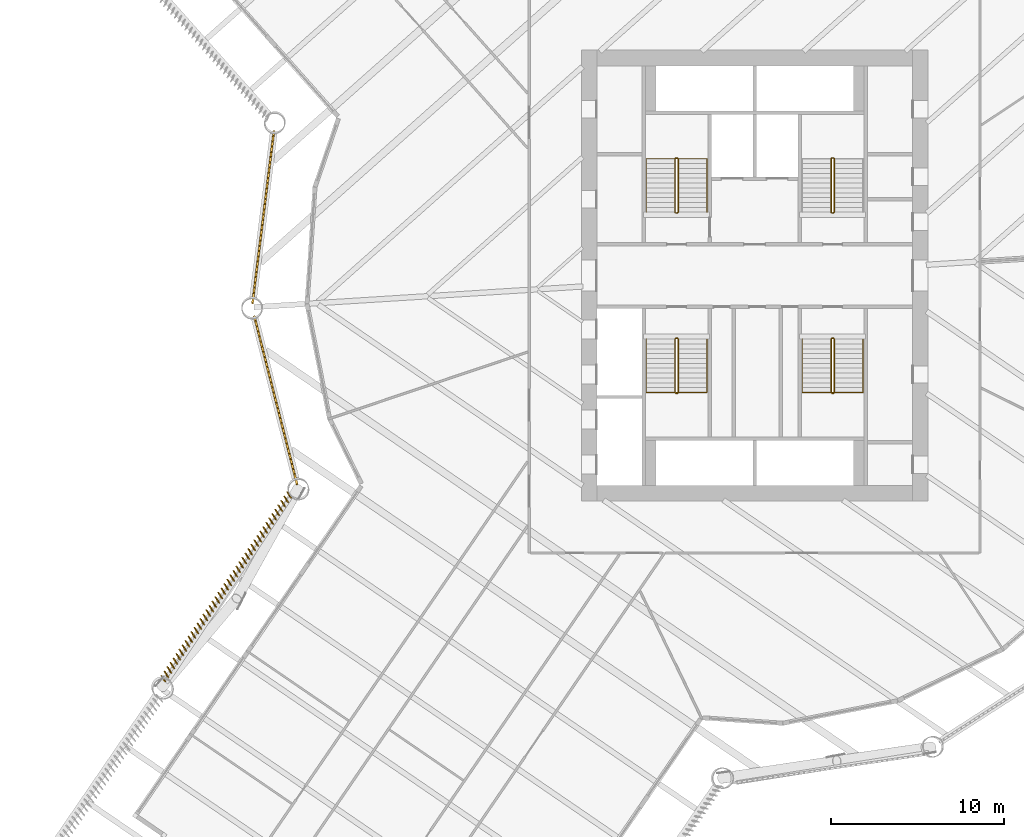
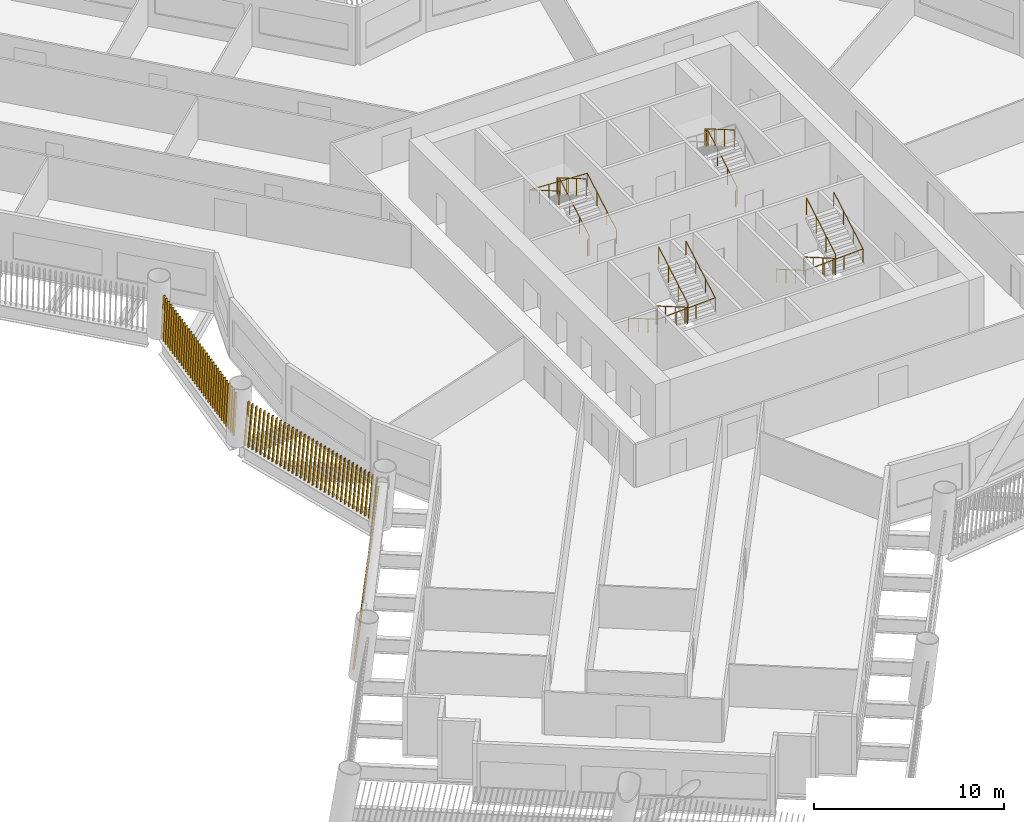
# One storey, part 19 of 22: 7 railings, 3 shading devices.
"""IFC4 building model written with IfcOpenShell, lengths in metres."""

from ifc_helpers import new_model, si_unit, direction, frame, frame_2d, origin, origin_2d, place, context, subcontext, project, spatial, rectangle, circle, composite_profile, extrude, material, type_object, element, save


model = new_model("IFC4")

# Units and contexts
model_context = context("Model", 3, precision=1e-05, world=origin(), true_north=direction((0.0, 1.0)))
body_context = subcontext(model_context, "Body", "Model", "MODEL_VIEW")
ifc_project = project(units=[si_unit("LENGTHUNIT", "METRE"), si_unit("AREAUNIT", "SQUARE_METRE"), si_unit("VOLUMEUNIT", "CUBIC_METRE"), si_unit("PLANEANGLEUNIT", "RADIAN"), si_unit("MASSUNIT", "GRAM", prefix="KILO")], contexts=[model_context])

# Site, building, storey
site_placement = place(None, origin())
site = spatial("IfcSite", under=ifc_project, at=site_placement, CompositionType="ELEMENT")
building_placement = place(site_placement, origin())
building = spatial("IfcBuilding", under=site, at=building_placement, Name="Tarsis Ring Headquarters", CompositionType="ELEMENT")
storey_placement = place(building_placement, frame((0.0, 0.0, 55.60009765625)))
storey = spatial("IfcBuildingStorey", under=building, at=storey_placement, Name="L11", CompositionType="ELEMENT", Elevation=55.60009765625)

# Railings
ifc_material_1 = material(Name="Steel S355", Category="steel")
railing_type_1 = type_object("IfcRailingType", Name="Core stair guard 1100", PredefinedType="GUARDRAIL", material=ifc_material_1)
railing_1_placement = place(storey_placement, frame((-4.5400390625, 3.610107421875, 0.0)))
element("IfcRailing", 1, at=railing_1_placement, inside=storey, type_object=railing_type_1, Name="L11 ST1 stair guard 1", PredefinedType="GUARDRAIL", context=body_context, shape_type="SweptSolid", body=[
    extrude(circle(Radius=0.02392578125, at=origin_2d()), frame((0.0, 0.0, 1.076171875), z_axis=(1.0, 0.0, 0.0), x_axis=(0.0, 1.0, 0.0)), (0.0, 0.0, 1.0), 0.080078125),
    extrude(circle(Radius=0.02392578125, at=origin_2d()), frame((0.080078125, 0.0, 1.076171875), z_axis=(0.282693820306, 0.281314826061, 0.917031173188), x_axis=(-0.705375805398, 0.708833529934, 0.0)), (0.0, 0.0, 1.0), 0.177001953125),
    extrude(circle(Radius=0.02392578125, at=origin_2d()), frame((0.130126953125, 0.0498046875, 1.23828125), z_axis=(0.0, 0.864890721111, 0.501960198159), x_axis=(-1.0, 0.0, 0.0)), (0.0, 0.0, 1.0), 3.561279296875),
    extrude(circle(Radius=0.02392578125, at=origin_2d()), frame((0.130126953125, 3.1298828125, 3.02587890625), z_axis=(-0.707106781187, 0.707106781187, 0.0), x_axis=(-0.707106781187, -0.707106781187, 0.0)), (0.0, 0.0, 1.0), 0.07080078125),
    extrude(circle(Radius=0.02392578125, at=origin_2d()), frame((0.080078125, 3.179931640625, 3.02587890625), z_axis=(-1.0, 0.0, 0.0), x_axis=(0.0, -1.0, 0.0)), (0.0, 0.0, 1.0), 0.080078125),
    extrude(circle(Radius=0.02392578125, at=origin_2d()), frame((0.0, 3.179931640625, 3.02587890625), z_axis=(-0.282583949758, -0.282583949758, 0.916674763849), x_axis=(0.707106781187, -0.707106781187, 0.0)), (0.0, 0.0, 1.0), 0.177001953125),
    extrude(circle(Radius=0.02392578125, at=origin_2d()), frame((-0.050048828125, 3.1298828125, 3.1884765625), z_axis=(0.0, -0.864890721111, 0.501960198159), x_axis=(1.0, 0.0, 0.0)), (0.0, 0.0, 1.0), 3.561279296875),
    extrude(circle(Radius=0.02099609375, at=origin_2d()), origin(), (0.0, 0.0, 1.0), 1.052001953125),
    extrude(circle(Radius=0.02099609375, at=origin_2d()), frame((0.080078125, 0.0, 0.0)), (0.0, 0.0, 1.0), 1.052001953125),
    extrude(circle(Radius=0.02099609375, at=origin_2d()), frame((0.130126953125, 0.0498046875, 0.162353515625)), (0.0, 0.0, 1.0), 1.052001953125),
    extrude(circle(Radius=0.02099609375, at=origin_2d()), frame((0.130126953125, 1.076416015625, 0.75830078125)), (0.0, 0.0, 1.0), 1.052001953125),
    extrude(circle(Radius=0.02099609375, at=origin_2d()), frame((0.130126953125, 2.103271484375, 1.35400390625)), (0.0, 0.0, 1.0), 1.052001953125),
    extrude(circle(Radius=0.02099609375, at=origin_2d()), frame((0.130126953125, 3.1298828125, 1.949951171875)), (0.0, 0.0, 1.0), 1.052001953125),
    extrude(circle(Radius=0.02099609375, at=origin_2d()), frame((0.080078125, 3.179931640625, 1.949951171875)), (0.0, 0.0, 1.0), 1.052001953125),
    extrude(circle(Radius=0.02099609375, at=origin_2d()), frame((0.0, 3.179931640625, 1.949951171875)), (0.0, 0.0, 1.0), 1.052001953125),
    extrude(circle(Radius=0.02099609375, at=origin_2d()), frame((-0.050048828125, 3.1298828125, 2.1123046875)), (0.0, 0.0, 1.0), 1.052001953125),
    extrude(circle(Radius=0.02099609375, at=origin_2d()), frame((-0.050048828125, 2.103271484375, 2.708251953125)), (0.0, 0.0, 1.0), 1.052001953125),
    extrude(circle(Radius=0.02099609375, at=origin_2d()), frame((-0.050048828125, 1.076416015625, 3.303955078125)), (0.0, 0.0, 1.0), 1.052001953125),
    extrude(circle(Radius=0.02099609375, at=origin_2d()), frame((-0.050048828125, 0.0498046875, 3.89990234375)), (0.0, 0.0, 1.0), 1.052001953125),
])
railing_2_placement = place(storey_placement, frame((4.4599609375, 3.610107421875, 0.0)))
element("IfcRailing", 2, at=railing_2_placement, inside=storey, type_object=railing_type_1, Name="L11 ST2 stair guard 1", PredefinedType="GUARDRAIL", context=body_context, shape_type="SweptSolid", body=[
    extrude(circle(Radius=0.02392578125, at=origin_2d()), frame((0.0, 0.0, 1.076171875), z_axis=(1.0, 0.0, 0.0), x_axis=(0.0, 1.0, 0.0)), (0.0, 0.0, 1.0), 0.080078125),
    extrude(circle(Radius=0.02392578125, at=origin_2d()), frame((0.080078125, 0.0, 1.076171875), z_axis=(0.282693820306, 0.281314826061, 0.917031173188), x_axis=(-0.705375805398, 0.708833529934, 0.0)), (0.0, 0.0, 1.0), 0.177001953125),
    extrude(circle(Radius=0.02392578125, at=origin_2d()), frame((0.130126953125, 0.0498046875, 1.23828125), z_axis=(0.0, 0.864890721111, 0.501960198159), x_axis=(-1.0, 0.0, 0.0)), (0.0, 0.0, 1.0), 3.561279296875),
    extrude(circle(Radius=0.02392578125, at=origin_2d()), frame((0.130126953125, 3.1298828125, 3.02587890625), z_axis=(-0.707106781187, 0.707106781187, 0.0), x_axis=(-0.707106781187, -0.707106781187, 0.0)), (0.0, 0.0, 1.0), 0.07080078125),
    extrude(circle(Radius=0.02392578125, at=origin_2d()), frame((0.080078125, 3.179931640625, 3.02587890625), z_axis=(-1.0, 0.0, 0.0), x_axis=(0.0, -1.0, 0.0)), (0.0, 0.0, 1.0), 0.080078125),
    extrude(circle(Radius=0.02392578125, at=origin_2d()), frame((0.0, 3.179931640625, 3.02587890625), z_axis=(-0.282583949758, -0.282583949758, 0.916674763849), x_axis=(0.707106781187, -0.707106781187, 0.0)), (0.0, 0.0, 1.0), 0.177001953125),
    extrude(circle(Radius=0.02392578125, at=origin_2d()), frame((-0.050048828125, 3.1298828125, 3.1884765625), z_axis=(0.0, -0.864890721111, 0.501960198159), x_axis=(1.0, 0.0, 0.0)), (0.0, 0.0, 1.0), 3.561279296875),
    extrude(circle(Radius=0.02099609375, at=origin_2d()), origin(), (0.0, 0.0, 1.0), 1.052001953125),
    extrude(circle(Radius=0.02099609375, at=origin_2d()), frame((0.080078125, 0.0, 0.0)), (0.0, 0.0, 1.0), 1.052001953125),
    extrude(circle(Radius=0.02099609375, at=origin_2d()), frame((0.130126953125, 0.0498046875, 0.162353515625)), (0.0, 0.0, 1.0), 1.052001953125),
    extrude(circle(Radius=0.02099609375, at=origin_2d()), frame((0.130126953125, 1.076416015625, 0.75830078125)), (0.0, 0.0, 1.0), 1.052001953125),
    extrude(circle(Radius=0.02099609375, at=origin_2d()), frame((0.130126953125, 2.103271484375, 1.35400390625)), (0.0, 0.0, 1.0), 1.052001953125),
    extrude(circle(Radius=0.02099609375, at=origin_2d()), frame((0.130126953125, 3.1298828125, 1.949951171875)), (0.0, 0.0, 1.0), 1.052001953125),
    extrude(circle(Radius=0.02099609375, at=origin_2d()), frame((0.080078125, 3.179931640625, 1.949951171875)), (0.0, 0.0, 1.0), 1.052001953125),
    extrude(circle(Radius=0.02099609375, at=origin_2d()), frame((0.0, 3.179931640625, 1.949951171875)), (0.0, 0.0, 1.0), 1.052001953125),
    extrude(circle(Radius=0.02099609375, at=origin_2d()), frame((-0.050048828125, 3.1298828125, 2.1123046875)), (0.0, 0.0, 1.0), 1.052001953125),
    extrude(circle(Radius=0.02099609375, at=origin_2d()), frame((-0.050048828125, 2.103271484375, 2.708251953125)), (0.0, 0.0, 1.0), 1.052001953125),
    extrude(circle(Radius=0.02099609375, at=origin_2d()), frame((-0.050048828125, 1.076416015625, 3.303955078125)), (0.0, 0.0, 1.0), 1.052001953125),
    extrude(circle(Radius=0.02099609375, at=origin_2d()), frame((-0.050048828125, 0.0498046875, 3.89990234375)), (0.0, 0.0, 1.0), 1.052001953125),
])
railing_3_placement = place(storey_placement, frame((-4.4599609375, -3.610107421875, 0.0)))
element("IfcRailing", 3, at=railing_3_placement, inside=storey, type_object=railing_type_1, Name="L11 ST3 stair guard 1", PredefinedType="GUARDRAIL", context=body_context, shape_type="SweptSolid", body=[
    extrude(circle(Radius=0.02392578125, at=origin_2d()), frame((0.0, 0.0, 1.076171875), z_axis=(-1.0, 0.0, 0.0), x_axis=(0.0, -1.0, 0.0)), (0.0, 0.0, 1.0), 0.080078125),
    extrude(circle(Radius=0.02392578125, at=origin_2d()), frame((-0.080078125, 0.0, 1.076171875), z_axis=(-0.282693820306, -0.281314826061, 0.917031173188), x_axis=(0.705375805398, -0.708833529934, 0.0)), (0.0, 0.0, 1.0), 0.177001953125),
    extrude(circle(Radius=0.02392578125, at=origin_2d()), frame((-0.130126953125, -0.0498046875, 1.23828125), z_axis=(0.0, -0.864890721111, 0.501960198159), x_axis=(1.0, 0.0, 0.0)), (0.0, 0.0, 1.0), 3.561279296875),
    extrude(circle(Radius=0.02392578125, at=origin_2d()), frame((-0.130126953125, -3.1298828125, 3.02587890625), z_axis=(0.707106781187, -0.707106781187, 0.0), x_axis=(0.707106781187, 0.707106781187, 0.0)), (0.0, 0.0, 1.0), 0.07080078125),
    extrude(circle(Radius=0.02392578125, at=origin_2d()), frame((-0.080078125, -3.179931640625, 3.02587890625), z_axis=(1.0, 0.0, 0.0), x_axis=(0.0, 1.0, 0.0)), (0.0, 0.0, 1.0), 0.080078125),
    extrude(circle(Radius=0.02392578125, at=origin_2d()), frame((0.0, -3.179931640625, 3.02587890625), z_axis=(0.282583949758, 0.282583949758, 0.916674763849), x_axis=(-0.707106781187, 0.707106781187, 0.0)), (0.0, 0.0, 1.0), 0.177001953125),
    extrude(circle(Radius=0.02392578125, at=origin_2d()), frame((0.050048828125, -3.1298828125, 3.1884765625), z_axis=(0.0, 0.864890721111, 0.501960198159), x_axis=(-1.0, 0.0, 0.0)), (0.0, 0.0, 1.0), 3.561279296875),
    extrude(circle(Radius=0.02099609375, at=origin_2d()), origin(), (0.0, 0.0, 1.0), 1.052001953125),
    extrude(circle(Radius=0.02099609375, at=origin_2d()), frame((-0.080078125, 0.0, 0.0)), (0.0, 0.0, 1.0), 1.052001953125),
    extrude(circle(Radius=0.02099609375, at=origin_2d()), frame((-0.130126953125, -0.0498046875, 0.162353515625)), (0.0, 0.0, 1.0), 1.052001953125),
    extrude(circle(Radius=0.02099609375, at=origin_2d()), frame((-0.130126953125, -1.076416015625, 0.75830078125)), (0.0, 0.0, 1.0), 1.052001953125),
    extrude(circle(Radius=0.02099609375, at=origin_2d()), frame((-0.130126953125, -2.103271484375, 1.35400390625)), (0.0, 0.0, 1.0), 1.052001953125),
    extrude(circle(Radius=0.02099609375, at=origin_2d()), frame((-0.130126953125, -3.1298828125, 1.949951171875)), (0.0, 0.0, 1.0), 1.052001953125),
    extrude(circle(Radius=0.02099609375, at=origin_2d()), frame((-0.080078125, -3.179931640625, 1.949951171875)), (0.0, 0.0, 1.0), 1.052001953125),
    extrude(circle(Radius=0.02099609375, at=origin_2d()), frame((0.0, -3.179931640625, 1.949951171875)), (0.0, 0.0, 1.0), 1.052001953125),
    extrude(circle(Radius=0.02099609375, at=origin_2d()), frame((0.050048828125, -3.1298828125, 2.1123046875)), (0.0, 0.0, 1.0), 1.052001953125),
    extrude(circle(Radius=0.02099609375, at=origin_2d()), frame((0.050048828125, -2.103271484375, 2.708251953125)), (0.0, 0.0, 1.0), 1.052001953125),
    extrude(circle(Radius=0.02099609375, at=origin_2d()), frame((0.050048828125, -1.076416015625, 3.303955078125)), (0.0, 0.0, 1.0), 1.052001953125),
    extrude(circle(Radius=0.02099609375, at=origin_2d()), frame((0.050048828125, -0.0498046875, 3.89990234375)), (0.0, 0.0, 1.0), 1.052001953125),
])
railing_4_placement = place(storey_placement, frame((4.5400390625, -3.610107421875, 0.0)))
element("IfcRailing", 4, at=railing_4_placement, inside=storey, type_object=railing_type_1, Name="L11 ST4 stair guard 1", PredefinedType="GUARDRAIL", context=body_context, shape_type="SweptSolid", body=[
    extrude(circle(Radius=0.02392578125, at=origin_2d()), frame((0.0, 0.0, 1.076171875), z_axis=(-1.0, 0.0, 0.0), x_axis=(0.0, -1.0, 0.0)), (0.0, 0.0, 1.0), 0.080078125),
    extrude(circle(Radius=0.02392578125, at=origin_2d()), frame((-0.080078125, 0.0, 1.076171875), z_axis=(-0.282693820306, -0.281314826061, 0.917031173188), x_axis=(0.705375805398, -0.708833529934, 0.0)), (0.0, 0.0, 1.0), 0.177001953125),
    extrude(circle(Radius=0.02392578125, at=origin_2d()), frame((-0.130126953125, -0.0498046875, 1.23828125), z_axis=(0.0, -0.864890721111, 0.501960198159), x_axis=(1.0, 0.0, 0.0)), (0.0, 0.0, 1.0), 3.561279296875),
    extrude(circle(Radius=0.02392578125, at=origin_2d()), frame((-0.130126953125, -3.1298828125, 3.02587890625), z_axis=(0.707106781187, -0.707106781187, 0.0), x_axis=(0.707106781187, 0.707106781187, 0.0)), (0.0, 0.0, 1.0), 0.07080078125),
    extrude(circle(Radius=0.02392578125, at=origin_2d()), frame((-0.080078125, -3.179931640625, 3.02587890625), z_axis=(1.0, 0.0, 0.0), x_axis=(0.0, 1.0, 0.0)), (0.0, 0.0, 1.0), 0.080078125),
    extrude(circle(Radius=0.02392578125, at=origin_2d()), frame((0.0, -3.179931640625, 3.02587890625), z_axis=(0.282583949758, 0.282583949758, 0.916674763849), x_axis=(-0.707106781187, 0.707106781187, 0.0)), (0.0, 0.0, 1.0), 0.177001953125),
    extrude(circle(Radius=0.02392578125, at=origin_2d()), frame((0.050048828125, -3.1298828125, 3.1884765625), z_axis=(0.0, 0.864890721111, 0.501960198159), x_axis=(-1.0, 0.0, 0.0)), (0.0, 0.0, 1.0), 3.561279296875),
    extrude(circle(Radius=0.02099609375, at=origin_2d()), origin(), (0.0, 0.0, 1.0), 1.052001953125),
    extrude(circle(Radius=0.02099609375, at=origin_2d()), frame((-0.080078125, 0.0, 0.0)), (0.0, 0.0, 1.0), 1.052001953125),
    extrude(circle(Radius=0.02099609375, at=origin_2d()), frame((-0.130126953125, -0.0498046875, 0.162353515625)), (0.0, 0.0, 1.0), 1.052001953125),
    extrude(circle(Radius=0.02099609375, at=origin_2d()), frame((-0.130126953125, -1.076416015625, 0.75830078125)), (0.0, 0.0, 1.0), 1.052001953125),
    extrude(circle(Radius=0.02099609375, at=origin_2d()), frame((-0.130126953125, -2.103271484375, 1.35400390625)), (0.0, 0.0, 1.0), 1.052001953125),
    extrude(circle(Radius=0.02099609375, at=origin_2d()), frame((-0.130126953125, -3.1298828125, 1.949951171875)), (0.0, 0.0, 1.0), 1.052001953125),
    extrude(circle(Radius=0.02099609375, at=origin_2d()), frame((-0.080078125, -3.179931640625, 1.949951171875)), (0.0, 0.0, 1.0), 1.052001953125),
    extrude(circle(Radius=0.02099609375, at=origin_2d()), frame((0.0, -3.179931640625, 1.949951171875)), (0.0, 0.0, 1.0), 1.052001953125),
    extrude(circle(Radius=0.02099609375, at=origin_2d()), frame((0.050048828125, -3.1298828125, 2.1123046875)), (0.0, 0.0, 1.0), 1.052001953125),
    extrude(circle(Radius=0.02099609375, at=origin_2d()), frame((0.050048828125, -2.103271484375, 2.708251953125)), (0.0, 0.0, 1.0), 1.052001953125),
    extrude(circle(Radius=0.02099609375, at=origin_2d()), frame((0.050048828125, -1.076416015625, 3.303955078125)), (0.0, 0.0, 1.0), 1.052001953125),
    extrude(circle(Radius=0.02099609375, at=origin_2d()), frame((0.050048828125, -0.0498046875, 3.89990234375)), (0.0, 0.0, 1.0), 1.052001953125),
])
railing_type_2 = type_object("IfcRailingType", Name="Core stair handrail 900", PredefinedType="HANDRAIL", material=ifc_material_1)
railing_5_placement = place(storey_placement, frame((-2.75, 3.659912109375, 0.162353515625)))
element("IfcRailing", 5, at=railing_5_placement, inside=storey, type_object=railing_type_2, Name="L11 ST1 stair handrail 1", PredefinedType="HANDRAIL", context=body_context, shape_type="SweptSolid", body=[
    extrude(circle(Radius=0.02392578125, at=origin_2d()), frame((0.0, 0.0, 0.8759765625), z_axis=(0.0, 0.864890721111, 0.501960198159), x_axis=(-1.0, 0.0, 0.0)), (0.0, 0.0, 1.0), 3.561279296875),
    extrude(circle(Radius=0.02392578125, at=origin_2d()), frame((0.0, 3.080078125, 2.66357421875), z_axis=(-0.998925869279, 0.0, 0.04633689335), x_axis=(0.0, -1.0, 0.0)), (0.0, 0.0, 1.0), 3.503662109375),
    extrude(circle(Radius=0.02392578125, at=origin_2d()), frame((-3.5, 3.080078125, 2.82568359375), z_axis=(0.0, -0.864890721111, 0.501960198159), x_axis=(1.0, 0.0, 0.0)), (0.0, 0.0, 1.0), 3.561279296875),
    extrude(circle(Radius=0.02099609375, at=origin_2d()), origin(), (0.0, 0.0, 1.0), 0.851806640625),
    extrude(circle(Radius=0.02099609375, at=origin_2d()), frame((0.0, 1.026611328125, 0.595947265625)), (0.0, 0.0, 1.0), 0.851806640625),
    extrude(circle(Radius=0.02099609375, at=origin_2d()), frame((0.0, 2.053466796875, 1.191650390625)), (0.0, 0.0, 1.0), 0.851806640625),
    extrude(circle(Radius=0.02099609375, at=origin_2d()), frame((0.0, 3.080078125, 1.78759765625)), (0.0, 0.0, 1.0), 0.851806640625),
    extrude(circle(Radius=0.02099609375, at=origin_2d()), frame((-1.166748046875, 3.080078125, 1.841796875)), (0.0, 0.0, 1.0), 0.851806640625),
    extrude(circle(Radius=0.02099609375, at=origin_2d()), frame((-2.333251953125, 3.080078125, 1.895751953125)), (0.0, 0.0, 1.0), 0.851806640625),
    extrude(circle(Radius=0.02099609375, at=origin_2d()), frame((-3.5, 3.080078125, 1.949951171875)), (0.0, 0.0, 1.0), 0.851806640625),
    extrude(circle(Radius=0.02099609375, at=origin_2d()), frame((-3.5, 2.053466796875, 2.5458984375)), (0.0, 0.0, 1.0), 0.851806640625),
    extrude(circle(Radius=0.02099609375, at=origin_2d()), frame((-3.5, 1.026611328125, 3.1416015625)), (0.0, 0.0, 1.0), 0.851806640625),
    extrude(circle(Radius=0.02099609375, at=origin_2d()), frame((-3.5, 0.0, 3.737548828125)), (0.0, 0.0, 1.0), 0.851806640625),
])
railing_6_placement = place(storey_placement, frame((-6.25, -3.659912109375, 0.162353515625)))
element("IfcRailing", 6, at=railing_6_placement, inside=storey, type_object=railing_type_2, Name="L11 ST3 stair handrail 1", PredefinedType="HANDRAIL", context=body_context, shape_type="SweptSolid", body=[
    extrude(circle(Radius=0.02392578125, at=origin_2d()), frame((0.0, 0.0, 0.8759765625), z_axis=(0.0, -0.864890721111, 0.501960198159), x_axis=(1.0, 0.0, 0.0)), (0.0, 0.0, 1.0), 3.561279296875),
    extrude(circle(Radius=0.02392578125, at=origin_2d()), frame((0.0, -3.080078125, 2.66357421875), z_axis=(0.998925869279, 0.0, 0.04633689335), x_axis=(0.0, 1.0, 0.0)), (0.0, 0.0, 1.0), 3.503662109375),
    extrude(circle(Radius=0.02392578125, at=origin_2d()), frame((3.5, -3.080078125, 2.82568359375), z_axis=(0.0, 0.864890721111, 0.501960198159), x_axis=(-1.0, 0.0, 0.0)), (0.0, 0.0, 1.0), 3.561279296875),
    extrude(circle(Radius=0.02099609375, at=origin_2d()), origin(), (0.0, 0.0, 1.0), 0.851806640625),
    extrude(circle(Radius=0.02099609375, at=origin_2d()), frame((0.0, -1.026611328125, 0.595947265625)), (0.0, 0.0, 1.0), 0.851806640625),
    extrude(circle(Radius=0.02099609375, at=origin_2d()), frame((0.0, -2.053466796875, 1.191650390625)), (0.0, 0.0, 1.0), 0.851806640625),
    extrude(circle(Radius=0.02099609375, at=origin_2d()), frame((0.0, -3.080078125, 1.78759765625)), (0.0, 0.0, 1.0), 0.851806640625),
    extrude(circle(Radius=0.02099609375, at=origin_2d()), frame((1.166748046875, -3.080078125, 1.841796875)), (0.0, 0.0, 1.0), 0.851806640625),
    extrude(circle(Radius=0.02099609375, at=origin_2d()), frame((2.333251953125, -3.080078125, 1.895751953125)), (0.0, 0.0, 1.0), 0.851806640625),
    extrude(circle(Radius=0.02099609375, at=origin_2d()), frame((3.5, -3.080078125, 1.949951171875)), (0.0, 0.0, 1.0), 0.851806640625),
    extrude(circle(Radius=0.02099609375, at=origin_2d()), frame((3.5, -2.053466796875, 2.5458984375)), (0.0, 0.0, 1.0), 0.851806640625),
    extrude(circle(Radius=0.02099609375, at=origin_2d()), frame((3.5, -1.026611328125, 3.1416015625)), (0.0, 0.0, 1.0), 0.851806640625),
    extrude(circle(Radius=0.02099609375, at=origin_2d()), frame((3.5, 0.0, 3.737548828125)), (0.0, 0.0, 1.0), 0.851806640625),
])
railing_7_placement = place(storey_placement, frame((2.75, -3.659912109375, 0.162353515625)))
element("IfcRailing", 7, at=railing_7_placement, inside=storey, type_object=railing_type_2, Name="L11 ST4 stair handrail 1", PredefinedType="HANDRAIL", context=body_context, shape_type="SweptSolid", body=[
    extrude(circle(Radius=0.02392578125, at=origin_2d()), frame((0.0, 0.0, 0.8759765625), z_axis=(0.0, -0.864890721111, 0.501960198159), x_axis=(1.0, 0.0, 0.0)), (0.0, 0.0, 1.0), 3.561279296875),
    extrude(circle(Radius=0.02392578125, at=origin_2d()), frame((0.0, -3.080078125, 2.66357421875), z_axis=(0.998925869279, 0.0, 0.04633689335), x_axis=(0.0, 1.0, 0.0)), (0.0, 0.0, 1.0), 3.503662109375),
    extrude(circle(Radius=0.02392578125, at=origin_2d()), frame((3.5, -3.080078125, 2.82568359375), z_axis=(0.0, 0.864890721111, 0.501960198159), x_axis=(-1.0, 0.0, 0.0)), (0.0, 0.0, 1.0), 3.561279296875),
    extrude(circle(Radius=0.02099609375, at=origin_2d()), origin(), (0.0, 0.0, 1.0), 0.851806640625),
    extrude(circle(Radius=0.02099609375, at=origin_2d()), frame((0.0, -1.026611328125, 0.595947265625)), (0.0, 0.0, 1.0), 0.851806640625),
    extrude(circle(Radius=0.02099609375, at=origin_2d()), frame((0.0, -2.053466796875, 1.191650390625)), (0.0, 0.0, 1.0), 0.851806640625),
    extrude(circle(Radius=0.02099609375, at=origin_2d()), frame((0.0, -3.080078125, 1.78759765625)), (0.0, 0.0, 1.0), 0.851806640625),
    extrude(circle(Radius=0.02099609375, at=origin_2d()), frame((1.166748046875, -3.080078125, 1.841796875)), (0.0, 0.0, 1.0), 0.851806640625),
    extrude(circle(Radius=0.02099609375, at=origin_2d()), frame((2.333251953125, -3.080078125, 1.895751953125)), (0.0, 0.0, 1.0), 0.851806640625),
    extrude(circle(Radius=0.02099609375, at=origin_2d()), frame((3.5, -3.080078125, 1.949951171875)), (0.0, 0.0, 1.0), 0.851806640625),
    extrude(circle(Radius=0.02099609375, at=origin_2d()), frame((3.5, -2.053466796875, 2.5458984375)), (0.0, 0.0, 1.0), 0.851806640625),
    extrude(circle(Radius=0.02099609375, at=origin_2d()), frame((3.5, -1.026611328125, 3.1416015625)), (0.0, 0.0, 1.0), 0.851806640625),
    extrude(circle(Radius=0.02099609375, at=origin_2d()), frame((3.5, 0.0, 3.737548828125)), (0.0, 0.0, 1.0), 0.851806640625),
])

# Shading devices
ifc_material_2 = material(Name="Terracotta baguette", Category="masonry")
shading_device_type = type_object("IfcShadingDeviceType", Name="Terracotta baguette screen", PredefinedType="USERDEFINED", material=ifc_material_2)
shading_device_1_placement = place(storey_placement, frame((-28.867919921875, -2.30859375, 0.0), z_axis=(0.0, 0.0, 1.0), x_axis=(0.246745783885, -0.969069331668, 0.0)))
element("IfcShadingDevice", 8, at=shading_device_1_placement, inside=storey, type_object=shading_device_type, Name="Baguette screen L11-00", ObjectType="Terracotta baguette screen", PredefinedType="USERDEFINED", context=body_context, shape_type="SweptSolid", body=[
    extrude(composite_profile([rectangle(XDim=0.06005859375, YDim=0.1201171875, at=frame_2d((0.030029296875, 0.0))), rectangle(XDim=0.06005859375, YDim=0.1201171875, at=frame_2d((0.33349609375, 0.0))), rectangle(XDim=0.06005859375, YDim=0.1201171875, at=frame_2d((0.636962890625, 0.0))), rectangle(XDim=0.06005859375, YDim=0.1201171875, at=frame_2d((0.9404296875, 0.0))), rectangle(XDim=0.06005859375, YDim=0.1201171875, at=frame_2d((1.243896484375, 0.0))), rectangle(XDim=0.06005859375, YDim=0.1201171875, at=frame_2d((1.54736328125, 0.0))), rectangle(XDim=0.06005859375, YDim=0.1201171875, at=frame_2d((1.85107421875, 0.0))), rectangle(XDim=0.06005859375, YDim=0.1201171875, at=frame_2d((2.154541015625, 0.0))), rectangle(XDim=0.06005859375, YDim=0.1201171875, at=frame_2d((2.4580078125, 0.0))), rectangle(XDim=0.06005859375, YDim=0.1201171875, at=frame_2d((2.761474609375, 0.0))), rectangle(XDim=0.06005859375, YDim=0.1201171875, at=frame_2d((3.06494140625, 0.0))), rectangle(XDim=0.06005859375, YDim=0.1201171875, at=frame_2d((3.368408203125, 0.0))), rectangle(XDim=0.06005859375, YDim=0.1201171875, at=frame_2d((3.671875, 0.0))), rectangle(XDim=0.06005859375, YDim=0.1201171875, at=frame_2d((3.975341796875, 0.0))), rectangle(XDim=0.06005859375, YDim=0.1201171875, at=frame_2d((4.27880859375, 0.0))), rectangle(XDim=0.06005859375, YDim=0.1201171875, at=frame_2d((4.582275390625, 0.0))), rectangle(XDim=0.06005859375, YDim=0.1201171875, at=frame_2d((4.8857421875, 0.0))), rectangle(XDim=0.06005859375, YDim=0.1201171875, at=frame_2d((5.189453125, 0.0))), rectangle(XDim=0.06005859375, YDim=0.1201171875, at=frame_2d((5.492919921875, 0.0))), rectangle(XDim=0.06005859375, YDim=0.1201171875, at=frame_2d((5.79638671875, 0.0))), rectangle(XDim=0.06005859375, YDim=0.1201171875, at=frame_2d((6.099853515625, 0.0))), rectangle(XDim=0.06005859375, YDim=0.1201171875, at=frame_2d((6.4033203125, 0.0))), rectangle(XDim=0.06005859375, YDim=0.1201171875, at=frame_2d((6.706787109375, 0.0))), rectangle(XDim=0.06005859375, YDim=0.1201171875, at=frame_2d((7.01025390625, 0.0))), rectangle(XDim=0.06005859375, YDim=0.1201171875, at=frame_2d((7.313720703125, 0.0))), rectangle(XDim=0.06005859375, YDim=0.1201171875, at=frame_2d((7.6171875, 0.0))), rectangle(XDim=0.06005859375, YDim=0.1201171875, at=frame_2d((7.920654296875, 0.0))), rectangle(XDim=0.06005859375, YDim=0.1201171875, at=frame_2d((8.224365234375, 0.0))), rectangle(XDim=0.06005859375, YDim=0.1201171875, at=frame_2d((8.52783203125, 0.0))), rectangle(XDim=0.06005859375, YDim=0.1201171875, at=frame_2d((8.831298828125, 0.0))), rectangle(XDim=0.06005859375, YDim=0.1201171875, at=frame_2d((9.134765625, 0.0))), rectangle(XDim=0.06005859375, YDim=0.1201171875, at=frame_2d((9.438232421875, 0.0))), rectangle(XDim=0.06005859375, YDim=0.1201171875, at=frame_2d((9.74169921875, 0.0)))]), origin(), (0.100729106393, 0.000526856462, 0.994913749803), 2.967529296875),
])
shading_device_2_placement = place(storey_placement, frame((-26.92529296875, -12.46337890625, 0.0), z_axis=(0.0, 0.0, 1.0), x_axis=(-0.564970575435, -0.825117792874, 0.0)))
element("IfcShadingDevice", 9, at=shading_device_2_placement, inside=storey, type_object=shading_device_type, Name="Baguette screen L11-01", ObjectType="Terracotta baguette screen", PredefinedType="USERDEFINED", context=body_context, shape_type="SweptSolid", body=[
    extrude(composite_profile([rectangle(XDim=0.06005859375, YDim=0.1201171875, at=frame_2d((0.030029296875, 0.0))), rectangle(XDim=0.06005859375, YDim=0.1201171875, at=frame_2d((0.335693359375, 0.0))), rectangle(XDim=0.06005859375, YDim=0.1201171875, at=frame_2d((0.6416015625, 0.0))), rectangle(XDim=0.06005859375, YDim=0.1201171875, at=frame_2d((0.947265625, 0.0))), rectangle(XDim=0.06005859375, YDim=0.1201171875, at=frame_2d((1.253173828125, 0.0))), rectangle(XDim=0.06005859375, YDim=0.1201171875, at=frame_2d((1.558837890625, 0.0))), rectangle(XDim=0.06005859375, YDim=0.1201171875, at=frame_2d((1.864501953125, 0.0))), rectangle(XDim=0.06005859375, YDim=0.1201171875, at=frame_2d((2.17041015625, 0.0))), rectangle(XDim=0.06005859375, YDim=0.1201171875, at=frame_2d((2.47607421875, 0.0))), rectangle(XDim=0.06005859375, YDim=0.1201171875, at=frame_2d((2.781982421875, 0.0))), rectangle(XDim=0.06005859375, YDim=0.1201171875, at=frame_2d((3.087646484375, 0.0))), rectangle(XDim=0.06005859375, YDim=0.1201171875, at=frame_2d((3.393310546875, 0.0))), rectangle(XDim=0.06005859375, YDim=0.1201171875, at=frame_2d((3.69921875, 0.0))), rectangle(XDim=0.06005859375, YDim=0.1201171875, at=frame_2d((4.0048828125, 0.0))), rectangle(XDim=0.06005859375, YDim=0.1201171875, at=frame_2d((4.310791015625, 0.0))), rectangle(XDim=0.06005859375, YDim=0.1201171875, at=frame_2d((4.616455078125, 0.0))), rectangle(XDim=0.06005859375, YDim=0.1201171875, at=frame_2d((4.922119140625, 0.0))), rectangle(XDim=0.06005859375, YDim=0.1201171875, at=frame_2d((5.22802734375, 0.0))), rectangle(XDim=0.06005859375, YDim=0.1201171875, at=frame_2d((5.53369140625, 0.0))), rectangle(XDim=0.06005859375, YDim=0.1201171875, at=frame_2d((5.839599609375, 0.0))), rectangle(XDim=0.06005859375, YDim=0.1201171875, at=frame_2d((6.145263671875, 0.0))), rectangle(XDim=0.06005859375, YDim=0.1201171875, at=frame_2d((6.451171875, 0.0))), rectangle(XDim=0.06005859375, YDim=0.1201171875, at=frame_2d((6.7568359375, 0.0))), rectangle(XDim=0.06005859375, YDim=0.1201171875, at=frame_2d((7.0625, 0.0))), rectangle(XDim=0.06005859375, YDim=0.1201171875, at=frame_2d((7.368408203125, 0.0))), rectangle(XDim=0.06005859375, YDim=0.1201171875, at=frame_2d((7.674072265625, 0.0))), rectangle(XDim=0.06005859375, YDim=0.1201171875, at=frame_2d((7.97998046875, 0.0))), rectangle(XDim=0.06005859375, YDim=0.1201171875, at=frame_2d((8.28564453125, 0.0))), rectangle(XDim=0.06005859375, YDim=0.1201171875, at=frame_2d((8.59130859375, 0.0))), rectangle(XDim=0.06005859375, YDim=0.1201171875, at=frame_2d((8.897216796875, 0.0))), rectangle(XDim=0.06005859375, YDim=0.1201171875, at=frame_2d((9.202880859375, 0.0))), rectangle(XDim=0.06005859375, YDim=0.1201171875, at=frame_2d((9.5087890625, 0.0))), rectangle(XDim=0.06005859375, YDim=0.1201171875, at=frame_2d((9.814453125, 0.0))), rectangle(XDim=0.06005859375, YDim=0.1201171875, at=frame_2d((10.1201171875, 0.0))), rectangle(XDim=0.06005859375, YDim=0.1201171875, at=frame_2d((10.426025390625, 0.0))), rectangle(XDim=0.06005859375, YDim=0.1201171875, at=frame_2d((10.731689453125, 0.0))), rectangle(XDim=0.06005859375, YDim=0.1201171875, at=frame_2d((11.03759765625, 0.0))), rectangle(XDim=0.06005859375, YDim=0.1201171875, at=frame_2d((11.34326171875, 0.0))), rectangle(XDim=0.06005859375, YDim=0.1201171875, at=frame_2d((11.64892578125, 0.0))), rectangle(XDim=0.06005859375, YDim=0.1201171875, at=frame_2d((11.954833984375, 0.0))), rectangle(XDim=0.06005859375, YDim=0.1201171875, at=frame_2d((12.260498046875, 0.0))), rectangle(XDim=0.06005859375, YDim=0.1201171875, at=frame_2d((12.56640625, 0.0))), rectangle(XDim=0.06005859375, YDim=0.1201171875, at=frame_2d((12.8720703125, 0.0)))]), origin(), (0.052816801086, 0.112710062721, 0.992223174132), 2.9755859375),
])
shading_device_3_placement = place(storey_placement, frame((-27.724365234375, 8.369384765625, 0.0), z_axis=(0.0, 0.0, 1.0), x_axis=(-0.123319842103, -0.99235496927, 0.0)))
element("IfcShadingDevice", 10, at=shading_device_3_placement, inside=storey, type_object=shading_device_type, Name="Baguette screen L11-21", ObjectType="Terracotta baguette screen", PredefinedType="USERDEFINED", context=body_context, shape_type="SweptSolid", body=[
    extrude(composite_profile([rectangle(XDim=0.06005859375, YDim=0.1201171875, at=frame_2d((0.030029296875, 0.0))), rectangle(XDim=0.06005859375, YDim=0.1201171875, at=frame_2d((0.33349609375, 0.0))), rectangle(XDim=0.06005859375, YDim=0.1201171875, at=frame_2d((0.636962890625, 0.0))), rectangle(XDim=0.06005859375, YDim=0.1201171875, at=frame_2d((0.9404296875, 0.0))), rectangle(XDim=0.06005859375, YDim=0.1201171875, at=frame_2d((1.243896484375, 0.0))), rectangle(XDim=0.06005859375, YDim=0.1201171875, at=frame_2d((1.54736328125, 0.0))), rectangle(XDim=0.06005859375, YDim=0.1201171875, at=frame_2d((1.85107421875, 0.0))), rectangle(XDim=0.06005859375, YDim=0.1201171875, at=frame_2d((2.154541015625, 0.0))), rectangle(XDim=0.06005859375, YDim=0.1201171875, at=frame_2d((2.4580078125, 0.0))), rectangle(XDim=0.06005859375, YDim=0.1201171875, at=frame_2d((2.761474609375, 0.0))), rectangle(XDim=0.06005859375, YDim=0.1201171875, at=frame_2d((3.06494140625, 0.0))), rectangle(XDim=0.06005859375, YDim=0.1201171875, at=frame_2d((3.368408203125, 0.0))), rectangle(XDim=0.06005859375, YDim=0.1201171875, at=frame_2d((3.671875, 0.0))), rectangle(XDim=0.06005859375, YDim=0.1201171875, at=frame_2d((3.975341796875, 0.0))), rectangle(XDim=0.06005859375, YDim=0.1201171875, at=frame_2d((4.27880859375, 0.0))), rectangle(XDim=0.06005859375, YDim=0.1201171875, at=frame_2d((4.582275390625, 0.0))), rectangle(XDim=0.06005859375, YDim=0.1201171875, at=frame_2d((4.8857421875, 0.0))), rectangle(XDim=0.06005859375, YDim=0.1201171875, at=frame_2d((5.189453125, 0.0))), rectangle(XDim=0.06005859375, YDim=0.1201171875, at=frame_2d((5.492919921875, 0.0))), rectangle(XDim=0.06005859375, YDim=0.1201171875, at=frame_2d((5.79638671875, 0.0))), rectangle(XDim=0.06005859375, YDim=0.1201171875, at=frame_2d((6.099853515625, 0.0))), rectangle(XDim=0.06005859375, YDim=0.1201171875, at=frame_2d((6.4033203125, 0.0))), rectangle(XDim=0.06005859375, YDim=0.1201171875, at=frame_2d((6.706787109375, 0.0))), rectangle(XDim=0.06005859375, YDim=0.1201171875, at=frame_2d((7.01025390625, 0.0))), rectangle(XDim=0.06005859375, YDim=0.1201171875, at=frame_2d((7.313720703125, 0.0))), rectangle(XDim=0.06005859375, YDim=0.1201171875, at=frame_2d((7.6171875, 0.0))), rectangle(XDim=0.06005859375, YDim=0.1201171875, at=frame_2d((7.920654296875, 0.0))), rectangle(XDim=0.06005859375, YDim=0.1201171875, at=frame_2d((8.224365234375, 0.0))), rectangle(XDim=0.06005859375, YDim=0.1201171875, at=frame_2d((8.52783203125, 0.0))), rectangle(XDim=0.06005859375, YDim=0.1201171875, at=frame_2d((8.831298828125, 0.0))), rectangle(XDim=0.06005859375, YDim=0.1201171875, at=frame_2d((9.134765625, 0.0))), rectangle(XDim=0.06005859375, YDim=0.1201171875, at=frame_2d((9.438232421875, 0.0))), rectangle(XDim=0.06005859375, YDim=0.1201171875, at=frame_2d((9.74169921875, 0.0)))]), origin(), (0.100729010166, 0.000525201264, 0.994913760421), 2.967529296875),
])

save(model, "model.ifc")
